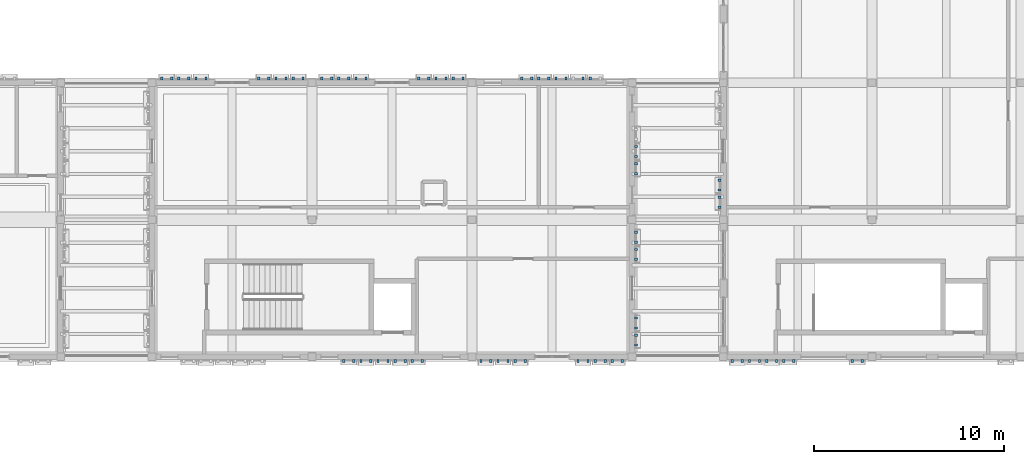
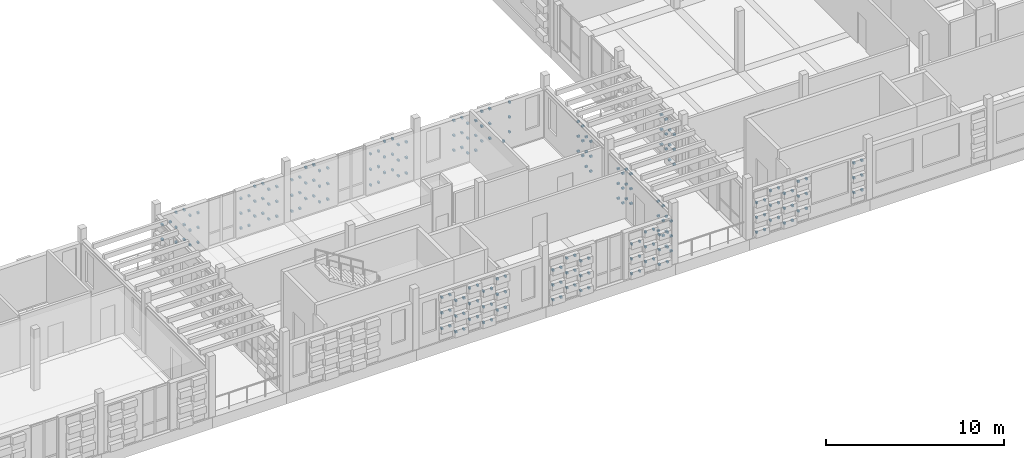
# One storey, part 84 of 99: 235 discrete accessories.
"""IFC4 building model written with IfcOpenShell, lengths in metres."""

from ifc_helpers import new_model, si_unit, direction, frame, origin, origin_2d, place, context, subcontext, project, spatial, rectangle, extrude, material, type_object, element, save


model = new_model("IFC4")

# Units and contexts
model_context = context("Model", 3, precision=1e-05, world=origin(), true_north=direction((0.0, 1.0)))
body_context = subcontext(model_context, "Body", "Model", "MODEL_VIEW")
ifc_project = project(units=[si_unit("LENGTHUNIT", "METRE"), si_unit("AREAUNIT", "SQUARE_METRE"), si_unit("VOLUMEUNIT", "CUBIC_METRE"), si_unit("PLANEANGLEUNIT", "RADIAN"), si_unit("MASSUNIT", "GRAM", prefix="KILO")], contexts=[model_context])

# Site, building, storey
site_placement = place(None, origin())
site = spatial("IfcSite", under=ifc_project, at=site_placement, CompositionType="ELEMENT")
building_placement = place(site_placement, origin())
building = spatial("IfcBuilding", under=site, at=building_placement, Name="Kahlenmark Community Centre", CompositionType="ELEMENT")
storey_placement = place(building_placement, frame((0.0, 0.0, 5.39990234375)))
storey = spatial("IfcBuildingStorey", under=building, at=storey_placement, Name="L01", CompositionType="ELEMENT", Elevation=5.39990234375)

# Discrete accessories
ifc_material = material(Name="Stainless steel 1.4401 rainscreen bracket", Category="steel")
discrete_accessory_type = type_object("IfcDiscreteAccessoryType", Name="DAT-BRACKET-TC", PredefinedType="BRACKET", material=ifc_material)
for number, where, z_axis, x_axis, name in (
    (1, (101.669921875, 8.590087890625, 0.822509765625), (0.0, 0.0, 1.0), (1.0, 0.0, 0.0), "Terracotta cassette bracket 1284.1"),
    (2, (102.18994140625, 8.590087890625, 0.822509765625), (0.0, 0.0, 1.0), (1.0, 0.0, 0.0), "Terracotta cassette bracket 1284.2"),
    (3, (101.669921875, 8.590087890625, 1.892578125), (0.0, 0.0, 1.0), (1.0, 0.0, 0.0), "Terracotta cassette bracket 1286.1"),
    (4, (102.18994140625, 8.590087890625, 1.892578125), (0.0, 0.0, 1.0), (1.0, 0.0, 0.0), "Terracotta cassette bracket 1286.2"),
    (5, (101.669921875, 8.590087890625, 2.962646484375), (0.0, 0.0, 1.0), (1.0, 0.0, 0.0), "Terracotta cassette bracket 1288.1"),
    (6, (102.18994140625, 8.590087890625, 2.962646484375), (0.0, 0.0, 1.0), (1.0, 0.0, 0.0), "Terracotta cassette bracket 1288.2"),
    (7, (102.570068359375, 8.590087890625, 0.28759765625), (0.0, 0.0, 1.0), (1.0, 0.0, 0.0), "Terracotta cassette bracket 1289.1"),
    (8, (103.090087890625, 8.590087890625, 0.28759765625), (0.0, 0.0, 1.0), (1.0, 0.0, 0.0), "Terracotta cassette bracket 1289.2"),
    (9, (102.570068359375, 8.590087890625, 1.357421875), (0.0, 0.0, 1.0), (1.0, 0.0, 0.0), "Terracotta cassette bracket 1291.1"),
    (10, (103.090087890625, 8.590087890625, 1.357421875), (0.0, 0.0, 1.0), (1.0, 0.0, 0.0), "Terracotta cassette bracket 1291.2"),
    (11, (102.570068359375, 8.590087890625, 2.427490234375), (0.0, 0.0, 1.0), (1.0, 0.0, 0.0), "Terracotta cassette bracket 1293.1"),
    (12, (103.090087890625, 8.590087890625, 2.427490234375), (0.0, 0.0, 1.0), (1.0, 0.0, 0.0), "Terracotta cassette bracket 1293.2"),
    (13, (103.469970703125, 8.590087890625, 0.822509765625), (0.0, 0.0, 1.0), (1.0, 0.0, 0.0), "Terracotta cassette bracket 1296.1"),
    (14, (103.989990234375, 8.590087890625, 0.822509765625), (0.0, 0.0, 1.0), (1.0, 0.0, 0.0), "Terracotta cassette bracket 1296.2"),
    (15, (103.469970703125, 8.590087890625, 1.892578125), (0.0, 0.0, 1.0), (1.0, 0.0, 0.0), "Terracotta cassette bracket 1298.1"),
    (16, (103.989990234375, 8.590087890625, 1.892578125), (0.0, 0.0, 1.0), (1.0, 0.0, 0.0), "Terracotta cassette bracket 1298.2"),
    (17, (103.469970703125, 8.590087890625, 2.962646484375), (0.0, 0.0, 1.0), (1.0, 0.0, 0.0), "Terracotta cassette bracket 1300.1"),
    (18, (103.989990234375, 8.590087890625, 2.962646484375), (0.0, 0.0, 1.0), (1.0, 0.0, 0.0), "Terracotta cassette bracket 1300.2"),
    (19, (104.3701171875, 8.590087890625, 0.28759765625), (0.0, 0.0, 1.0), (1.0, 0.0, 0.0), "Terracotta cassette bracket 1301.1"),
    (20, (104.889892578125, 8.590087890625, 0.28759765625), (0.0, 0.0, 1.0), (1.0, 0.0, 0.0), "Terracotta cassette bracket 1301.2"),
    (21, (104.3701171875, 8.590087890625, 1.357421875), (0.0, 0.0, 1.0), (1.0, 0.0, 0.0), "Terracotta cassette bracket 1303.1"),
    (22, (104.889892578125, 8.590087890625, 1.357421875), (0.0, 0.0, 1.0), (1.0, 0.0, 0.0), "Terracotta cassette bracket 1303.2"),
    (23, (104.3701171875, 8.590087890625, 2.427490234375), (0.0, 0.0, 1.0), (1.0, 0.0, 0.0), "Terracotta cassette bracket 1305.1"),
    (24, (104.889892578125, 8.590087890625, 2.427490234375), (0.0, 0.0, 1.0), (1.0, 0.0, 0.0), "Terracotta cassette bracket 1305.2"),
    (25, (105.27001953125, 8.590087890625, 0.822509765625), (0.0, 0.0, 1.0), (1.0, 0.0, 0.0), "Terracotta cassette bracket 1308.1"),
    (26, (105.7900390625, 8.590087890625, 0.822509765625), (0.0, 0.0, 1.0), (1.0, 0.0, 0.0), "Terracotta cassette bracket 1308.2"),
    (27, (105.27001953125, 8.590087890625, 1.892578125), (0.0, 0.0, 1.0), (1.0, 0.0, 0.0), "Terracotta cassette bracket 1310.1"),
    (28, (105.7900390625, 8.590087890625, 1.892578125), (0.0, 0.0, 1.0), (1.0, 0.0, 0.0), "Terracotta cassette bracket 1310.2"),
    (29, (105.27001953125, 8.590087890625, 2.962646484375), (0.0, 0.0, 1.0), (1.0, 0.0, 0.0), "Terracotta cassette bracket 1312.1"),
    (30, (105.7900390625, 8.590087890625, 2.962646484375), (0.0, 0.0, 1.0), (1.0, 0.0, 0.0), "Terracotta cassette bracket 1312.2"),
    (31, (108.8701171875, 8.590087890625, 0.27392578125), (0.0, 0.0, 1.0), (1.0, 0.0, 0.0), "Terracotta cassette bracket 1313.1"),
    (32, (109.389892578125, 8.590087890625, 0.27392578125), (0.0, 0.0, 1.0), (1.0, 0.0, 0.0), "Terracotta cassette bracket 1313.2"),
    (33, (108.8701171875, 8.590087890625, 1.2900390625), (0.0, 0.0, 1.0), (1.0, 0.0, 0.0), "Terracotta cassette bracket 1315.1"),
    (34, (109.389892578125, 8.590087890625, 1.2900390625), (0.0, 0.0, 1.0), (1.0, 0.0, 0.0), "Terracotta cassette bracket 1315.2"),
    (35, (108.8701171875, 8.590087890625, 2.30615234375), (0.0, 0.0, 1.0), (1.0, 0.0, 0.0), "Terracotta cassette bracket 1317.1"),
    (36, (109.389892578125, 8.590087890625, 2.30615234375), (0.0, 0.0, 1.0), (1.0, 0.0, 0.0), "Terracotta cassette bracket 1317.2"),
    (37, (109.77001953125, 8.590087890625, 0.781982421875), (0.0, 0.0, 1.0), (1.0, 0.0, 0.0), "Terracotta cassette bracket 1320.1"),
    (38, (110.2900390625, 8.590087890625, 0.781982421875), (0.0, 0.0, 1.0), (1.0, 0.0, 0.0), "Terracotta cassette bracket 1320.2"),
    (39, (109.77001953125, 8.590087890625, 1.798095703125), (0.0, 0.0, 1.0), (1.0, 0.0, 0.0), "Terracotta cassette bracket 1322.1"),
    (40, (110.2900390625, 8.590087890625, 1.798095703125), (0.0, 0.0, 1.0), (1.0, 0.0, 0.0), "Terracotta cassette bracket 1322.2"),
    (41, (109.77001953125, 8.590087890625, 2.81396484375), (0.0, 0.0, 1.0), (1.0, 0.0, 0.0), "Terracotta cassette bracket 1324.1"),
    (42, (110.2900390625, 8.590087890625, 2.81396484375), (0.0, 0.0, 1.0), (1.0, 0.0, 0.0), "Terracotta cassette bracket 1324.2"),
    (43, (110.669921875, 8.590087890625, 0.27392578125), (0.0, 0.0, 1.0), (1.0, 0.0, 0.0), "Terracotta cassette bracket 1325.1"),
    (44, (111.18994140625, 8.590087890625, 0.27392578125), (0.0, 0.0, 1.0), (1.0, 0.0, 0.0), "Terracotta cassette bracket 1325.2"),
    (45, (110.669921875, 8.590087890625, 1.2900390625), (0.0, 0.0, 1.0), (1.0, 0.0, 0.0), "Terracotta cassette bracket 1327.1"),
    (46, (111.18994140625, 8.590087890625, 1.2900390625), (0.0, 0.0, 1.0), (1.0, 0.0, 0.0), "Terracotta cassette bracket 1327.2"),
    (47, (110.669921875, 8.590087890625, 2.30615234375), (0.0, 0.0, 1.0), (1.0, 0.0, 0.0), "Terracotta cassette bracket 1329.1"),
    (48, (111.18994140625, 8.590087890625, 2.30615234375), (0.0, 0.0, 1.0), (1.0, 0.0, 0.0), "Terracotta cassette bracket 1329.2"),
    (49, (113.969970703125, 8.590087890625, 0.27392578125), (0.0, 0.0, 1.0), (1.0, 0.0, 0.0), "Terracotta cassette bracket 1331.1"),
    (50, (114.489990234375, 8.590087890625, 0.27392578125), (0.0, 0.0, 1.0), (1.0, 0.0, 0.0), "Terracotta cassette bracket 1331.2"),
    (51, (113.969970703125, 8.590087890625, 1.2900390625), (0.0, 0.0, 1.0), (1.0, 0.0, 0.0), "Terracotta cassette bracket 1333.1"),
    (52, (114.489990234375, 8.590087890625, 1.2900390625), (0.0, 0.0, 1.0), (1.0, 0.0, 0.0), "Terracotta cassette bracket 1333.2"),
    (53, (113.969970703125, 8.590087890625, 2.30615234375), (0.0, 0.0, 1.0), (1.0, 0.0, 0.0), "Terracotta cassette bracket 1335.1"),
    (54, (114.489990234375, 8.590087890625, 2.30615234375), (0.0, 0.0, 1.0), (1.0, 0.0, 0.0), "Terracotta cassette bracket 1335.2"),
    (55, (114.8701171875, 8.590087890625, 0.781982421875), (0.0, 0.0, 1.0), (1.0, 0.0, 0.0), "Terracotta cassette bracket 1338.1"),
    (56, (115.389892578125, 8.590087890625, 0.781982421875), (0.0, 0.0, 1.0), (1.0, 0.0, 0.0), "Terracotta cassette bracket 1338.2"),
    (57, (114.8701171875, 8.590087890625, 1.798095703125), (0.0, 0.0, 1.0), (1.0, 0.0, 0.0), "Terracotta cassette bracket 1340.1"),
    (58, (115.389892578125, 8.590087890625, 1.798095703125), (0.0, 0.0, 1.0), (1.0, 0.0, 0.0), "Terracotta cassette bracket 1340.2"),
    (59, (114.8701171875, 8.590087890625, 2.81396484375), (0.0, 0.0, 1.0), (1.0, 0.0, 0.0), "Terracotta cassette bracket 1342.1"),
    (60, (115.389892578125, 8.590087890625, 2.81396484375), (0.0, 0.0, 1.0), (1.0, 0.0, 0.0), "Terracotta cassette bracket 1342.2"),
    (61, (115.77001953125, 8.590087890625, 0.27392578125), (0.0, 0.0, 1.0), (1.0, 0.0, 0.0), "Terracotta cassette bracket 1343.1"),
    (62, (116.2900390625, 8.590087890625, 0.27392578125), (0.0, 0.0, 1.0), (1.0, 0.0, 0.0), "Terracotta cassette bracket 1343.2"),
    (63, (115.77001953125, 8.590087890625, 1.2900390625), (0.0, 0.0, 1.0), (1.0, 0.0, 0.0), "Terracotta cassette bracket 1345.1"),
    (64, (116.2900390625, 8.590087890625, 1.2900390625), (0.0, 0.0, 1.0), (1.0, 0.0, 0.0), "Terracotta cassette bracket 1345.2"),
    (65, (115.77001953125, 8.590087890625, 2.30615234375), (0.0, 0.0, 1.0), (1.0, 0.0, 0.0), "Terracotta cassette bracket 1347.1"),
    (66, (116.2900390625, 8.590087890625, 2.30615234375), (0.0, 0.0, 1.0), (1.0, 0.0, 0.0), "Terracotta cassette bracket 1347.2"),
    (67, (99.530029296875, 23.409912109375, 0.27392578125), (0.0, 0.0, 1.0), (-1.0, 0.0, 0.0), "Terracotta cassette bracket 1349.1"),
    (68, (99.010009765625, 23.409912109375, 0.27392578125), (0.0, 0.0, 1.0), (-1.0, 0.0, 0.0), "Terracotta cassette bracket 1349.2"),
    (69, (99.530029296875, 23.409912109375, 1.2900390625), (0.0, 0.0, 1.0), (-1.0, 0.0, 0.0), "Terracotta cassette bracket 1351.1"),
    (70, (99.010009765625, 23.409912109375, 1.2900390625), (0.0, 0.0, 1.0), (-1.0, 0.0, 0.0), "Terracotta cassette bracket 1351.2"),
    (71, (99.530029296875, 23.409912109375, 2.30615234375), (0.0, 0.0, 1.0), (-1.0, 0.0, 0.0), "Terracotta cassette bracket 1353.1"),
    (72, (99.010009765625, 23.409912109375, 2.30615234375), (0.0, 0.0, 1.0), (-1.0, 0.0, 0.0), "Terracotta cassette bracket 1353.2"),
    (73, (98.6298828125, 23.409912109375, 0.781982421875), (0.0, 0.0, 1.0), (-1.0, 0.0, 0.0), "Terracotta cassette bracket 1356.1"),
    (74, (98.110107421875, 23.409912109375, 0.781982421875), (0.0, 0.0, 1.0), (-1.0, 0.0, 0.0), "Terracotta cassette bracket 1356.2"),
    (75, (98.6298828125, 23.409912109375, 1.798095703125), (0.0, 0.0, 1.0), (-1.0, 0.0, 0.0), "Terracotta cassette bracket 1358.1"),
    (76, (98.110107421875, 23.409912109375, 1.798095703125), (0.0, 0.0, 1.0), (-1.0, 0.0, 0.0), "Terracotta cassette bracket 1358.2"),
    (77, (98.6298828125, 23.409912109375, 2.81396484375), (0.0, 0.0, 1.0), (-1.0, 0.0, 0.0), "Terracotta cassette bracket 1360.1"),
    (78, (98.110107421875, 23.409912109375, 2.81396484375), (0.0, 0.0, 1.0), (-1.0, 0.0, 0.0), "Terracotta cassette bracket 1360.2"),
    (79, (97.72998046875, 23.409912109375, 0.27392578125), (0.0, 0.0, 1.0), (-1.0, 0.0, 0.0), "Terracotta cassette bracket 1361.1"),
    (80, (97.2099609375, 23.409912109375, 0.27392578125), (0.0, 0.0, 1.0), (-1.0, 0.0, 0.0), "Terracotta cassette bracket 1361.2"),
    (81, (97.72998046875, 23.409912109375, 1.2900390625), (0.0, 0.0, 1.0), (-1.0, 0.0, 0.0), "Terracotta cassette bracket 1363.1"),
    (82, (97.2099609375, 23.409912109375, 1.2900390625), (0.0, 0.0, 1.0), (-1.0, 0.0, 0.0), "Terracotta cassette bracket 1363.2"),
    (83, (97.72998046875, 23.409912109375, 2.30615234375), (0.0, 0.0, 1.0), (-1.0, 0.0, 0.0), "Terracotta cassette bracket 1365.1"),
    (84, (97.2099609375, 23.409912109375, 2.30615234375), (0.0, 0.0, 1.0), (-1.0, 0.0, 0.0), "Terracotta cassette bracket 1365.2"),
    (85, (94.429931640625, 23.409912109375, 0.27392578125), (0.0, 0.0, 1.0), (-1.0, 0.0, 0.0), "Terracotta cassette bracket 1367.1"),
    (86, (93.909912109375, 23.409912109375, 0.27392578125), (0.0, 0.0, 1.0), (-1.0, 0.0, 0.0), "Terracotta cassette bracket 1367.2"),
    (87, (94.429931640625, 23.409912109375, 1.2900390625), (0.0, 0.0, 1.0), (-1.0, 0.0, 0.0), "Terracotta cassette bracket 1369.1"),
    (88, (93.909912109375, 23.409912109375, 1.2900390625), (0.0, 0.0, 1.0), (-1.0, 0.0, 0.0), "Terracotta cassette bracket 1369.2"),
    (89, (94.429931640625, 23.409912109375, 2.30615234375), (0.0, 0.0, 1.0), (-1.0, 0.0, 0.0), "Terracotta cassette bracket 1371.1"),
    (90, (93.909912109375, 23.409912109375, 2.30615234375), (0.0, 0.0, 1.0), (-1.0, 0.0, 0.0), "Terracotta cassette bracket 1371.2"),
    (91, (93.530029296875, 23.409912109375, 0.781982421875), (0.0, 0.0, 1.0), (-1.0, 0.0, 0.0), "Terracotta cassette bracket 1374.1"),
    (92, (93.010009765625, 23.409912109375, 0.781982421875), (0.0, 0.0, 1.0), (-1.0, 0.0, 0.0), "Terracotta cassette bracket 1374.2"),
    (93, (93.530029296875, 23.409912109375, 1.798095703125), (0.0, 0.0, 1.0), (-1.0, 0.0, 0.0), "Terracotta cassette bracket 1376.1"),
    (94, (93.010009765625, 23.409912109375, 1.798095703125), (0.0, 0.0, 1.0), (-1.0, 0.0, 0.0), "Terracotta cassette bracket 1376.2"),
    (95, (93.530029296875, 23.409912109375, 2.81396484375), (0.0, 0.0, 1.0), (-1.0, 0.0, 0.0), "Terracotta cassette bracket 1378.1"),
    (96, (93.010009765625, 23.409912109375, 2.81396484375), (0.0, 0.0, 1.0), (-1.0, 0.0, 0.0), "Terracotta cassette bracket 1378.2"),
    (97, (92.110107421875, 23.409912109375, 1.2900390625), (0.0, 0.0, 1.0), (-1.0, 0.0, 0.0), "Terracotta cassette bracket 1381.2"),
    (98, (92.6298828125, 23.409912109375, 2.30615234375), (0.0, 0.0, 1.0), (-1.0, 0.0, 0.0), "Terracotta cassette bracket 1383.1"),
    (99, (92.110107421875, 23.409912109375, 2.30615234375), (0.0, 0.0, 1.0), (-1.0, 0.0, 0.0), "Terracotta cassette bracket 1383.2"),
    (100, (107.929931640625, 23.409912109375, 0.28759765625), (0.0, 0.0, 1.0), (-1.0, 0.0, 0.0), "Terracotta cassette bracket 1385.1"),
    (101, (107.409912109375, 23.409912109375, 0.28759765625), (0.0, 0.0, 1.0), (-1.0, 0.0, 0.0), "Terracotta cassette bracket 1385.2"),
    (102, (107.929931640625, 23.409912109375, 1.357421875), (0.0, 0.0, 1.0), (-1.0, 0.0, 0.0), "Terracotta cassette bracket 1387.1"),
    (103, (107.409912109375, 23.409912109375, 1.357421875), (0.0, 0.0, 1.0), (-1.0, 0.0, 0.0), "Terracotta cassette bracket 1387.2"),
    (104, (107.929931640625, 23.409912109375, 2.427490234375), (0.0, 0.0, 1.0), (-1.0, 0.0, 0.0), "Terracotta cassette bracket 1389.1"),
    (105, (107.409912109375, 23.409912109375, 2.427490234375), (0.0, 0.0, 1.0), (-1.0, 0.0, 0.0), "Terracotta cassette bracket 1389.2"),
    (106, (107.030029296875, 23.409912109375, 0.822509765625), (0.0, 0.0, 1.0), (-1.0, 0.0, 0.0), "Terracotta cassette bracket 1392.1"),
    (107, (106.510009765625, 23.409912109375, 0.822509765625), (0.0, 0.0, 1.0), (-1.0, 0.0, 0.0), "Terracotta cassette bracket 1392.2"),
    (108, (107.030029296875, 23.409912109375, 1.892578125), (0.0, 0.0, 1.0), (-1.0, 0.0, 0.0), "Terracotta cassette bracket 1394.1"),
    (109, (106.510009765625, 23.409912109375, 1.892578125), (0.0, 0.0, 1.0), (-1.0, 0.0, 0.0), "Terracotta cassette bracket 1394.2"),
    (110, (107.030029296875, 23.409912109375, 2.962646484375), (0.0, 0.0, 1.0), (-1.0, 0.0, 0.0), "Terracotta cassette bracket 1396.1"),
    (111, (106.510009765625, 23.409912109375, 2.962646484375), (0.0, 0.0, 1.0), (-1.0, 0.0, 0.0), "Terracotta cassette bracket 1396.2"),
    (112, (106.1298828125, 23.409912109375, 0.28759765625), (0.0, 0.0, 1.0), (-1.0, 0.0, 0.0), "Terracotta cassette bracket 1397.1"),
    (113, (105.610107421875, 23.409912109375, 0.28759765625), (0.0, 0.0, 1.0), (-1.0, 0.0, 0.0), "Terracotta cassette bracket 1397.2"),
    (114, (106.1298828125, 23.409912109375, 1.357421875), (0.0, 0.0, 1.0), (-1.0, 0.0, 0.0), "Terracotta cassette bracket 1399.1"),
    (115, (105.610107421875, 23.409912109375, 1.357421875), (0.0, 0.0, 1.0), (-1.0, 0.0, 0.0), "Terracotta cassette bracket 1399.2"),
    (116, (106.1298828125, 23.409912109375, 2.427490234375), (0.0, 0.0, 1.0), (-1.0, 0.0, 0.0), "Terracotta cassette bracket 1401.1"),
    (117, (105.610107421875, 23.409912109375, 2.427490234375), (0.0, 0.0, 1.0), (-1.0, 0.0, 0.0), "Terracotta cassette bracket 1401.2"),
    (118, (102.830078125, 23.409912109375, 0.28759765625), (0.0, 0.0, 1.0), (-1.0, 0.0, 0.0), "Terracotta cassette bracket 1403.1"),
    (119, (102.31005859375, 23.409912109375, 0.28759765625), (0.0, 0.0, 1.0), (-1.0, 0.0, 0.0), "Terracotta cassette bracket 1403.2"),
    (120, (102.830078125, 23.409912109375, 1.357421875), (0.0, 0.0, 1.0), (-1.0, 0.0, 0.0), "Terracotta cassette bracket 1405.1"),
    (121, (102.31005859375, 23.409912109375, 1.357421875), (0.0, 0.0, 1.0), (-1.0, 0.0, 0.0), "Terracotta cassette bracket 1405.2"),
    (122, (102.830078125, 23.409912109375, 2.427490234375), (0.0, 0.0, 1.0), (-1.0, 0.0, 0.0), "Terracotta cassette bracket 1407.1"),
    (123, (102.31005859375, 23.409912109375, 2.427490234375), (0.0, 0.0, 1.0), (-1.0, 0.0, 0.0), "Terracotta cassette bracket 1407.2"),
    (124, (101.929931640625, 23.409912109375, 0.822509765625), (0.0, 0.0, 1.0), (-1.0, 0.0, 0.0), "Terracotta cassette bracket 1410.1"),
    (125, (101.409912109375, 23.409912109375, 0.822509765625), (0.0, 0.0, 1.0), (-1.0, 0.0, 0.0), "Terracotta cassette bracket 1410.2"),
    (126, (101.929931640625, 23.409912109375, 1.892578125), (0.0, 0.0, 1.0), (-1.0, 0.0, 0.0), "Terracotta cassette bracket 1412.1"),
    (127, (101.409912109375, 23.409912109375, 1.892578125), (0.0, 0.0, 1.0), (-1.0, 0.0, 0.0), "Terracotta cassette bracket 1412.2"),
    (128, (101.929931640625, 23.409912109375, 2.962646484375), (0.0, 0.0, 1.0), (-1.0, 0.0, 0.0), "Terracotta cassette bracket 1414.1"),
    (129, (101.409912109375, 23.409912109375, 2.962646484375), (0.0, 0.0, 1.0), (-1.0, 0.0, 0.0), "Terracotta cassette bracket 1414.2"),
    (130, (101.030029296875, 23.409912109375, 0.28759765625), (0.0, 0.0, 1.0), (-1.0, 0.0, 0.0), "Terracotta cassette bracket 1415.1"),
    (131, (100.510009765625, 23.409912109375, 0.28759765625), (0.0, 0.0, 1.0), (-1.0, 0.0, 0.0), "Terracotta cassette bracket 1415.2"),
    (132, (101.030029296875, 23.409912109375, 1.357421875), (0.0, 0.0, 1.0), (-1.0, 0.0, 0.0), "Terracotta cassette bracket 1417.1"),
    (133, (100.510009765625, 23.409912109375, 1.357421875), (0.0, 0.0, 1.0), (-1.0, 0.0, 0.0), "Terracotta cassette bracket 1417.2"),
    (134, (101.030029296875, 23.409912109375, 2.427490234375), (0.0, 0.0, 1.0), (-1.0, 0.0, 0.0), "Terracotta cassette bracket 1419.1"),
    (135, (100.510009765625, 23.409912109375, 2.427490234375), (0.0, 0.0, 1.0), (-1.0, 0.0, 0.0), "Terracotta cassette bracket 1419.2"),
    (136, (114.610107421875, 23.409912109375, 0.781982421875), (0.0, 0.0, 1.0), (-1.0, 0.0, 0.0), "Terracotta cassette bracket 1422.2"),
    (137, (114.610107421875, 23.409912109375, 1.798095703125), (0.0, 0.0, 1.0), (-1.0, 0.0, 0.0), "Terracotta cassette bracket 1424.2"),
    (138, (114.610107421875, 23.409912109375, 2.81396484375), (0.0, 0.0, 1.0), (-1.0, 0.0, 0.0), "Terracotta cassette bracket 1426.2"),
    (139, (114.22998046875, 23.409912109375, 0.27392578125), (0.0, 0.0, 1.0), (-1.0, 0.0, 0.0), "Terracotta cassette bracket 1427.1"),
    (140, (113.330078125, 23.409912109375, 0.781982421875), (0.0, 0.0, 1.0), (-1.0, 0.0, 0.0), "Terracotta cassette bracket 1434.1"),
    (141, (112.81005859375, 23.409912109375, 0.781982421875), (0.0, 0.0, 1.0), (-1.0, 0.0, 0.0), "Terracotta cassette bracket 1434.2"),
    (142, (113.330078125, 23.409912109375, 1.798095703125), (0.0, 0.0, 1.0), (-1.0, 0.0, 0.0), "Terracotta cassette bracket 1436.1"),
    (143, (112.81005859375, 23.409912109375, 1.798095703125), (0.0, 0.0, 1.0), (-1.0, 0.0, 0.0), "Terracotta cassette bracket 1436.2"),
    (144, (113.330078125, 23.409912109375, 2.81396484375), (0.0, 0.0, 1.0), (-1.0, 0.0, 0.0), "Terracotta cassette bracket 1438.1"),
    (145, (112.81005859375, 23.409912109375, 2.81396484375), (0.0, 0.0, 1.0), (-1.0, 0.0, 0.0), "Terracotta cassette bracket 1438.2"),
    (146, (112.429931640625, 23.409912109375, 0.27392578125), (0.0, 0.0, 1.0), (-1.0, 0.0, 0.0), "Terracotta cassette bracket 1439.1"),
    (147, (111.909912109375, 23.409912109375, 0.27392578125), (0.0, 0.0, 1.0), (-1.0, 0.0, 0.0), "Terracotta cassette bracket 1439.2"),
    (148, (112.429931640625, 23.409912109375, 1.2900390625), (0.0, 0.0, 1.0), (-1.0, 0.0, 0.0), "Terracotta cassette bracket 1441.1"),
    (149, (111.909912109375, 23.409912109375, 1.2900390625), (0.0, 0.0, 1.0), (-1.0, 0.0, 0.0), "Terracotta cassette bracket 1441.2"),
    (150, (112.429931640625, 23.409912109375, 2.30615234375), (0.0, 0.0, 1.0), (-1.0, 0.0, 0.0), "Terracotta cassette bracket 1443.1"),
    (151, (111.909912109375, 23.409912109375, 2.30615234375), (0.0, 0.0, 1.0), (-1.0, 0.0, 0.0), "Terracotta cassette bracket 1443.2"),
    (152, (111.530029296875, 23.409912109375, 0.781982421875), (0.0, 0.0, 1.0), (-1.0, 0.0, 0.0), "Terracotta cassette bracket 1446.1"),
    (153, (111.010009765625, 23.409912109375, 0.781982421875), (0.0, 0.0, 1.0), (-1.0, 0.0, 0.0), "Terracotta cassette bracket 1446.2"),
    (154, (111.530029296875, 23.409912109375, 1.798095703125), (0.0, 0.0, 1.0), (-1.0, 0.0, 0.0), "Terracotta cassette bracket 1448.1"),
    (155, (111.010009765625, 23.409912109375, 1.798095703125), (0.0, 0.0, 1.0), (-1.0, 0.0, 0.0), "Terracotta cassette bracket 1448.2"),
    (156, (111.530029296875, 23.409912109375, 2.81396484375), (0.0, 0.0, 1.0), (-1.0, 0.0, 0.0), "Terracotta cassette bracket 1450.1"),
    (157, (111.010009765625, 23.409912109375, 2.81396484375), (0.0, 0.0, 1.0), (-1.0, 0.0, 0.0), "Terracotta cassette bracket 1450.2"),
    (158, (117.010009765625, 9.419921875, 0.27392578125), (0.0, 0.0, 1.0), (0.0, 1.0, 0.0), "Terracotta cassette bracket 1499.1"),
    (159, (117.010009765625, 9.93994140625, 0.27392578125), (0.0, 0.0, 1.0), (0.0, 1.0, 0.0), "Terracotta cassette bracket 1499.2"),
    (160, (117.010009765625, 9.419921875, 1.2900390625), (0.0, 0.0, 1.0), (0.0, 1.0, 0.0), "Terracotta cassette bracket 1501.1"),
    (161, (117.010009765625, 9.93994140625, 1.2900390625), (0.0, 0.0, 1.0), (0.0, 1.0, 0.0), "Terracotta cassette bracket 1501.2"),
    (162, (117.010009765625, 9.419921875, 2.30615234375), (0.0, 0.0, 1.0), (0.0, 1.0, 0.0), "Terracotta cassette bracket 1503.1"),
    (163, (117.010009765625, 9.93994140625, 2.30615234375), (0.0, 0.0, 1.0), (0.0, 1.0, 0.0), "Terracotta cassette bracket 1503.2"),
    (164, (117.010009765625, 10.320068359375, 0.781982421875), (0.0, 0.0, 1.0), (0.0, 1.0, 0.0), "Terracotta cassette bracket 1506.1"),
    (165, (117.010009765625, 10.840087890625, 0.781982421875), (0.0, 0.0, 1.0), (0.0, 1.0, 0.0), "Terracotta cassette bracket 1506.2"),
    (166, (117.010009765625, 10.320068359375, 1.798095703125), (0.0, 0.0, 1.0), (0.0, 1.0, 0.0), "Terracotta cassette bracket 1508.1"),
    (167, (117.010009765625, 10.840087890625, 1.798095703125), (0.0, 0.0, 1.0), (0.0, 1.0, 0.0), "Terracotta cassette bracket 1508.2"),
    (168, (117.010009765625, 10.320068359375, 2.81396484375), (0.0, 0.0, 1.0), (0.0, 1.0, 0.0), "Terracotta cassette bracket 1510.1"),
    (169, (117.010009765625, 10.840087890625, 2.81396484375), (0.0, 0.0, 1.0), (0.0, 1.0, 0.0), "Terracotta cassette bracket 1510.2"),
    (170, (117.010009765625, 13.919921875, 0.781982421875), (0.0, 0.0, 1.0), (0.0, 1.0, 0.0), "Terracotta cassette bracket 1512.1"),
    (171, (117.010009765625, 14.43994140625, 0.781982421875), (0.0, 0.0, 1.0), (0.0, 1.0, 0.0), "Terracotta cassette bracket 1512.2"),
    (172, (117.010009765625, 13.919921875, 1.798095703125), (0.0, 0.0, 1.0), (0.0, 1.0, 0.0), "Terracotta cassette bracket 1514.1"),
    (173, (117.010009765625, 14.43994140625, 1.798095703125), (0.0, 0.0, 1.0), (0.0, 1.0, 0.0), "Terracotta cassette bracket 1514.2"),
    (174, (117.010009765625, 13.919921875, 2.81396484375), (0.0, 0.0, 1.0), (0.0, 1.0, 0.0), "Terracotta cassette bracket 1516.1"),
    (175, (117.010009765625, 14.43994140625, 2.81396484375), (0.0, 0.0, 1.0), (0.0, 1.0, 0.0), "Terracotta cassette bracket 1516.2"),
    (176, (117.010009765625, 14.820068359375, 0.27392578125), (0.0, 0.0, 1.0), (0.0, 1.0, 0.0), "Terracotta cassette bracket 1517.1"),
    (177, (117.010009765625, 15.340087890625, 0.27392578125), (0.0, 0.0, 1.0), (0.0, 1.0, 0.0), "Terracotta cassette bracket 1517.2"),
    (178, (117.010009765625, 14.820068359375, 1.2900390625), (0.0, 0.0, 1.0), (0.0, 1.0, 0.0), "Terracotta cassette bracket 1519.1"),
    (179, (117.010009765625, 15.340087890625, 1.2900390625), (0.0, 0.0, 1.0), (0.0, 1.0, 0.0), "Terracotta cassette bracket 1519.2"),
    (180, (117.010009765625, 14.820068359375, 2.30615234375), (0.0, 0.0, 1.0), (0.0, 1.0, 0.0), "Terracotta cassette bracket 1521.1"),
    (181, (117.010009765625, 15.340087890625, 2.30615234375), (0.0, 0.0, 1.0), (0.0, 1.0, 0.0), "Terracotta cassette bracket 1521.2"),
    (182, (117.010009765625, 18.419921875, 0.27392578125), (0.0, 0.0, 1.0), (0.0, 1.0, 0.0), "Terracotta cassette bracket 1523.1"),
    (183, (117.010009765625, 18.93994140625, 0.27392578125), (0.0, 0.0, 1.0), (0.0, 1.0, 0.0), "Terracotta cassette bracket 1523.2"),
    (184, (117.010009765625, 18.419921875, 1.2900390625), (0.0, 0.0, 1.0), (0.0, 1.0, 0.0), "Terracotta cassette bracket 1525.1"),
    (185, (117.010009765625, 18.93994140625, 1.2900390625), (0.0, 0.0, 1.0), (0.0, 1.0, 0.0), "Terracotta cassette bracket 1525.2"),
    (186, (117.010009765625, 18.419921875, 2.30615234375), (0.0, 0.0, 1.0), (0.0, 1.0, 0.0), "Terracotta cassette bracket 1527.1"),
    (187, (117.010009765625, 18.93994140625, 2.30615234375), (0.0, 0.0, 1.0), (0.0, 1.0, 0.0), "Terracotta cassette bracket 1527.2"),
    (188, (117.010009765625, 19.320068359375, 0.781982421875), (0.0, 0.0, 1.0), (0.0, 1.0, 0.0), "Terracotta cassette bracket 1530.1"),
    (189, (117.010009765625, 19.840087890625, 0.781982421875), (0.0, 0.0, 1.0), (0.0, 1.0, 0.0), "Terracotta cassette bracket 1530.2"),
    (190, (117.010009765625, 19.320068359375, 1.798095703125), (0.0, 0.0, 1.0), (0.0, 1.0, 0.0), "Terracotta cassette bracket 1532.1"),
    (191, (117.010009765625, 19.840087890625, 1.798095703125), (0.0, 0.0, 1.0), (0.0, 1.0, 0.0), "Terracotta cassette bracket 1532.2"),
    (192, (117.010009765625, 19.320068359375, 2.81396484375), (0.0, 0.0, 1.0), (0.0, 1.0, 0.0), "Terracotta cassette bracket 1534.1"),
    (193, (117.010009765625, 19.840087890625, 2.81396484375), (0.0, 0.0, 1.0), (0.0, 1.0, 0.0), "Terracotta cassette bracket 1534.2"),
    (194, (122.070068359375, 8.590087890625, 0.27392578125), (0.0, 0.0, 1.0), (1.0, 0.0, 0.0), "Terracotta cassette bracket 1541.1"),
    (195, (122.590087890625, 8.590087890625, 0.27392578125), (0.0, 0.0, 1.0), (1.0, 0.0, 0.0), "Terracotta cassette bracket 1541.2"),
    (196, (122.070068359375, 8.590087890625, 1.2900390625), (0.0, 0.0, 1.0), (1.0, 0.0, 0.0), "Terracotta cassette bracket 1543.1"),
    (197, (122.590087890625, 8.590087890625, 1.2900390625), (0.0, 0.0, 1.0), (1.0, 0.0, 0.0), "Terracotta cassette bracket 1543.2"),
    (198, (122.070068359375, 8.590087890625, 2.30615234375), (0.0, 0.0, 1.0), (1.0, 0.0, 0.0), "Terracotta cassette bracket 1545.1"),
    (199, (122.590087890625, 8.590087890625, 2.30615234375), (0.0, 0.0, 1.0), (1.0, 0.0, 0.0), "Terracotta cassette bracket 1545.2"),
    (200, (122.969970703125, 8.590087890625, 0.781982421875), (0.0, 0.0, 1.0), (1.0, 0.0, 0.0), "Terracotta cassette bracket 1548.1"),
    (201, (123.489990234375, 8.590087890625, 0.781982421875), (0.0, 0.0, 1.0), (1.0, 0.0, 0.0), "Terracotta cassette bracket 1548.2"),
    (202, (122.969970703125, 8.590087890625, 1.798095703125), (0.0, 0.0, 1.0), (1.0, 0.0, 0.0), "Terracotta cassette bracket 1550.1"),
    (203, (123.489990234375, 8.590087890625, 1.798095703125), (0.0, 0.0, 1.0), (1.0, 0.0, 0.0), "Terracotta cassette bracket 1550.2"),
    (204, (122.969970703125, 8.590087890625, 2.81396484375), (0.0, 0.0, 1.0), (1.0, 0.0, 0.0), "Terracotta cassette bracket 1552.1"),
    (205, (123.489990234375, 8.590087890625, 2.81396484375), (0.0, 0.0, 1.0), (1.0, 0.0, 0.0), "Terracotta cassette bracket 1552.2"),
    (206, (123.8701171875, 8.590087890625, 0.27392578125), (0.0, 0.0, 1.0), (1.0, 0.0, 0.0), "Terracotta cassette bracket 1553.1"),
    (207, (124.389892578125, 8.590087890625, 0.27392578125), (0.0, 0.0, 1.0), (1.0, 0.0, 0.0), "Terracotta cassette bracket 1553.2"),
    (208, (123.8701171875, 8.590087890625, 1.2900390625), (0.0, 0.0, 1.0), (1.0, 0.0, 0.0), "Terracotta cassette bracket 1555.1"),
    (209, (124.389892578125, 8.590087890625, 1.2900390625), (0.0, 0.0, 1.0), (1.0, 0.0, 0.0), "Terracotta cassette bracket 1555.2"),
    (210, (123.8701171875, 8.590087890625, 2.30615234375), (0.0, 0.0, 1.0), (1.0, 0.0, 0.0), "Terracotta cassette bracket 1557.1"),
    (211, (124.389892578125, 8.590087890625, 2.30615234375), (0.0, 0.0, 1.0), (1.0, 0.0, 0.0), "Terracotta cassette bracket 1557.2"),
    (212, (124.77001953125, 8.590087890625, 0.781982421875), (0.0, 0.0, 1.0), (1.0, 0.0, 0.0), "Terracotta cassette bracket 1560.1"),
    (213, (125.2900390625, 8.590087890625, 0.781982421875), (0.0, 0.0, 1.0), (1.0, 0.0, 0.0), "Terracotta cassette bracket 1560.2"),
    (214, (124.77001953125, 8.590087890625, 1.798095703125), (0.0, 0.0, 1.0), (1.0, 0.0, 0.0), "Terracotta cassette bracket 1562.1"),
    (215, (125.2900390625, 8.590087890625, 1.798095703125), (0.0, 0.0, 1.0), (1.0, 0.0, 0.0), "Terracotta cassette bracket 1562.2"),
    (216, (124.77001953125, 8.590087890625, 2.81396484375), (0.0, 0.0, 1.0), (1.0, 0.0, 0.0), "Terracotta cassette bracket 1564.1"),
    (217, (125.2900390625, 8.590087890625, 2.81396484375), (0.0, 0.0, 1.0), (1.0, 0.0, 0.0), "Terracotta cassette bracket 1564.2"),
    (218, (128.3701171875, 8.590087890625, 0.781982421875), (0.0, 0.0, 1.0), (1.0, 0.0, 0.0), "Terracotta cassette bracket 1566.1"),
    (219, (128.889892578125, 8.590087890625, 0.781982421875), (0.0, 0.0, 1.0), (1.0, 0.0, 0.0), "Terracotta cassette bracket 1566.2"),
    (220, (128.3701171875, 8.590087890625, 1.798095703125), (0.0, 0.0, 1.0), (1.0, 0.0, 0.0), "Terracotta cassette bracket 1568.1"),
    (221, (128.889892578125, 8.590087890625, 1.798095703125), (0.0, 0.0, 1.0), (1.0, 0.0, 0.0), "Terracotta cassette bracket 1568.2"),
    (222, (128.3701171875, 8.590087890625, 2.81396484375), (0.0, 0.0, 1.0), (1.0, 0.0, 0.0), "Terracotta cassette bracket 1570.1"),
    (223, (128.889892578125, 8.590087890625, 2.81396484375), (0.0, 0.0, 1.0), (1.0, 0.0, 0.0), "Terracotta cassette bracket 1570.2"),
    (224, (121.389892578125, 18.080078125, 0.781982421875), (0.0, 0.0, 1.0), (0.0, -1.0, 0.0), "Terracotta cassette bracket 1675.1"),
    (225, (121.389892578125, 17.56005859375, 0.781982421875), (0.0, 0.0, 1.0), (0.0, -1.0, 0.0), "Terracotta cassette bracket 1675.2"),
    (226, (121.389892578125, 18.080078125, 1.798095703125), (0.0, 0.0, 1.0), (0.0, -1.0, 0.0), "Terracotta cassette bracket 1677.1"),
    (227, (121.389892578125, 17.56005859375, 1.798095703125), (0.0, 0.0, 1.0), (0.0, -1.0, 0.0), "Terracotta cassette bracket 1677.2"),
    (228, (121.389892578125, 18.080078125, 2.81396484375), (0.0, 0.0, 1.0), (0.0, -1.0, 0.0), "Terracotta cassette bracket 1679.1"),
    (229, (121.389892578125, 17.56005859375, 2.81396484375), (0.0, 0.0, 1.0), (0.0, -1.0, 0.0), "Terracotta cassette bracket 1679.2"),
    (230, (121.389892578125, 17.179931640625, 0.27392578125), (0.0, 0.0, 1.0), (0.0, -1.0, 0.0), "Terracotta cassette bracket 1680.1"),
    (231, (121.389892578125, 16.659912109375, 0.27392578125), (0.0, 0.0, 1.0), (0.0, -1.0, 0.0), "Terracotta cassette bracket 1680.2"),
    (232, (121.389892578125, 17.179931640625, 1.2900390625), (0.0, 0.0, 1.0), (0.0, -1.0, 0.0), "Terracotta cassette bracket 1682.1"),
    (233, (121.389892578125, 16.659912109375, 1.2900390625), (0.0, 0.0, 1.0), (0.0, -1.0, 0.0), "Terracotta cassette bracket 1682.2"),
    (234, (121.389892578125, 17.179931640625, 2.30615234375), (0.0, 0.0, 1.0), (0.0, -1.0, 0.0), "Terracotta cassette bracket 1684.1"),
    (235, (121.389892578125, 16.659912109375, 2.30615234375), (0.0, 0.0, 1.0), (0.0, -1.0, 0.0), "Terracotta cassette bracket 1684.2"),
):
    element("IfcDiscreteAccessory", number, at=place(storey_placement, frame(where, z_axis=z_axis, x_axis=x_axis)), inside=storey, type_object=discrete_accessory_type, Name=name, PredefinedType="BRACKET", context=body_context, shape_type="SweptSolid", body=[
        extrude(rectangle(XDim=0.1201171875, YDim=0.159912109375, at=origin_2d()), origin(), (0.0, 0.0, 1.0), 0.1201171875),
    ])

save(model, "model.ifc")
